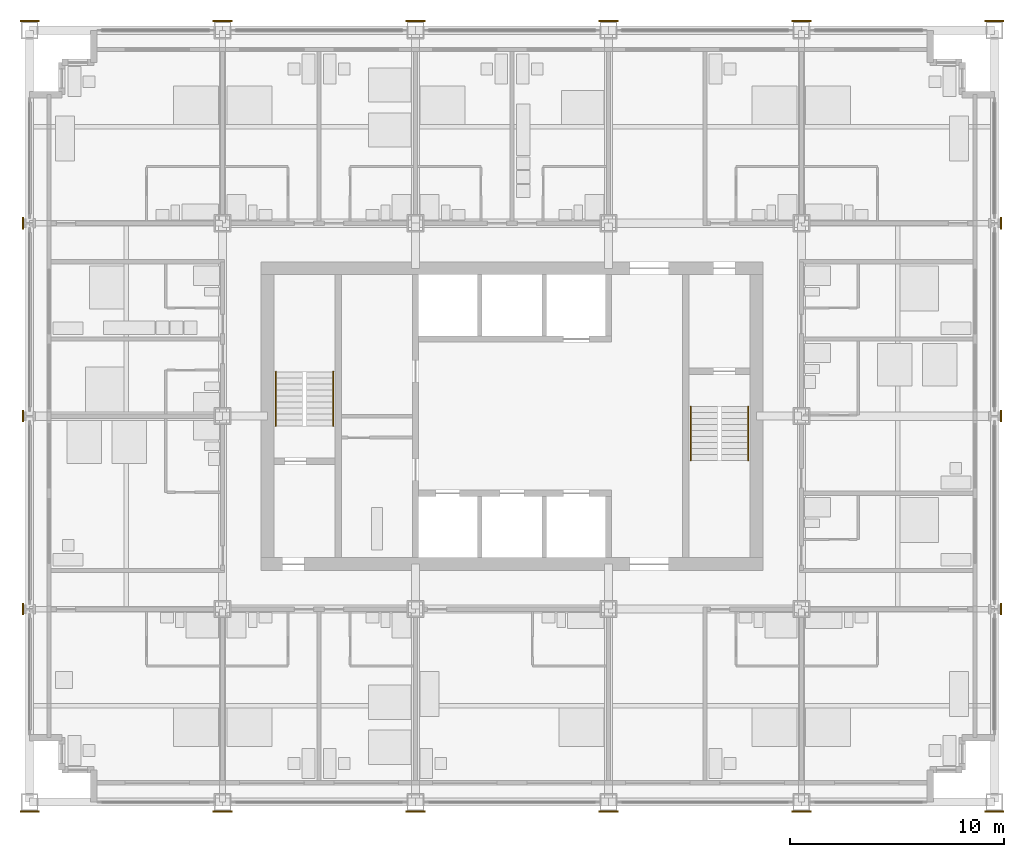
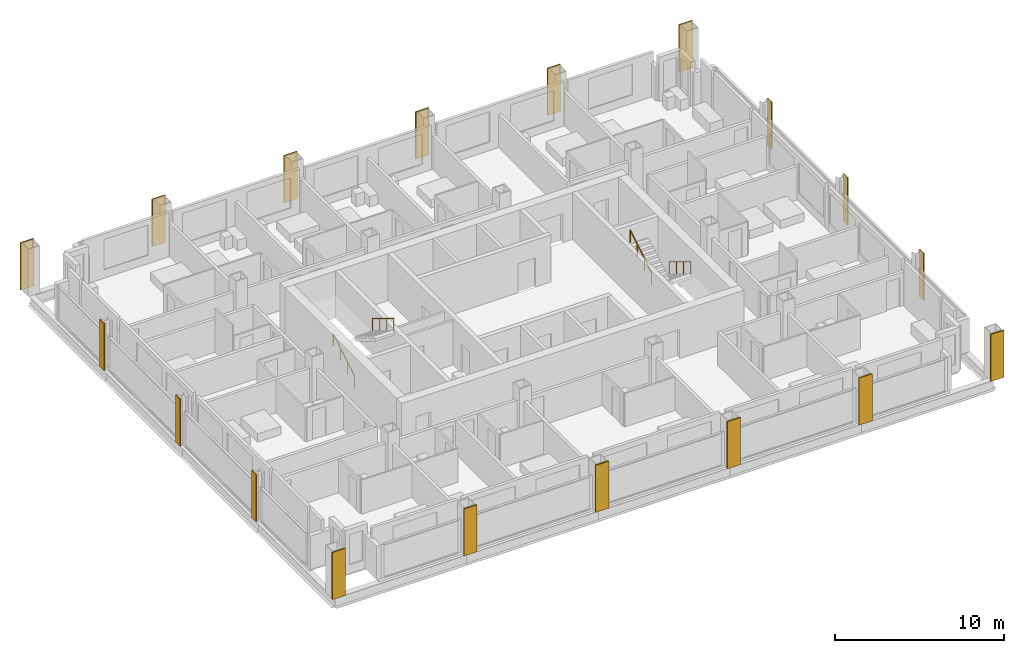
# One storey, part 15 of 17: 18 coverings, 4 railings.
"""IFC4 building model written with IfcOpenShell, lengths in metres."""

from ifc_helpers import new_model, si_unit, direction, frame, origin, origin_2d, place, context, subcontext, project, spatial, rectangle, circle, extrude, material, layer, layer_set, type_object, element, save


model = new_model("IFC4")

# Units and contexts
model_context = context("Model", 3, precision=1e-05, world=origin(), true_north=direction((0.0, 1.0)))
body_context = subcontext(model_context, "Body", "Model", "MODEL_VIEW")
ifc_project = project(units=[si_unit("LENGTHUNIT", "METRE"), si_unit("AREAUNIT", "SQUARE_METRE"), si_unit("VOLUMEUNIT", "CUBIC_METRE"), si_unit("PLANEANGLEUNIT", "RADIAN"), si_unit("MASSUNIT", "GRAM", prefix="KILO")], contexts=[model_context])

# Site, building, storey
site_placement = place(None, origin())
site = spatial("IfcSite", under=ifc_project, at=site_placement, CompositionType="ELEMENT")
building_placement = place(site_placement, origin())
building = spatial("IfcBuilding", under=site, at=building_placement, Name="Loomwork Tower", CompositionType="ELEMENT")
storey_placement = place(building_placement, frame((0.0, 0.0, 141.800048828125)))
storey = spatial("IfcBuildingStorey", under=building, at=storey_placement, Name="L38", CompositionType="ELEMENT", Elevation=141.800048828125)

# Railings
ifc_material_1 = material(Name="Stainless steel handrail", Category="steel")
railing_type = type_object("IfcRailingType", Name="Handrail 900", PredefinedType="HANDRAIL", material=ifc_material_1)
railing_1_placement = place(storey_placement, frame((11.485107421875, 17.550048828125, 0.169921875)))
element("IfcRailing", 1, at=railing_1_placement, inside=storey, type_object=railing_type, Name="Stair A handrail flight 1 L38", PredefinedType="HANDRAIL", context=body_context, shape_type="SweptSolid", body=[
    extrude(circle(Radius=0.02392578125, at=origin_2d()), frame((0.0, 0.0, 0.8759765625), z_axis=(0.0, 0.85478489116, 0.518982456201), x_axis=(-1.0, 0.0, 0.0)), (0.0, 0.0, 1.0), 2.9482421875),
    extrude(circle(Radius=0.02099609375, at=origin_2d()), origin(), (0.0, 0.0, 1.0), 0.851806640625),
    extrude(circle(Radius=0.02099609375, at=origin_2d()), frame((0.0, 0.840087890625, 0.510009765625)), (0.0, 0.0, 1.0), 0.851806640625),
    extrude(circle(Radius=0.02099609375, at=origin_2d()), frame((0.0, 1.679931640625, 1.02001953125)), (0.0, 0.0, 1.0), 0.851806640625),
    extrude(circle(Radius=0.02099609375, at=origin_2d()), frame((0.0, 2.52001953125, 1.530029296875)), (0.0, 0.0, 1.0), 0.851806640625),
])
for number, where, name in (
    (2, (14.1650390625, 20.070068359375, 1.869873046875), "Stair A handrail flight 2 L38"),
    (3, (33.514892578125, 18.449951171875, 0.169921875), "Stair B handrail flight 1 L38"),
):
    element("IfcRailing", number, at=place(storey_placement, frame(where)), inside=storey, type_object=railing_type, Name=name, PredefinedType="HANDRAIL", context=body_context, shape_type="SweptSolid", body=[
        extrude(circle(Radius=0.02392578125, at=origin_2d()), frame((0.0, 0.0, 0.8759765625), z_axis=(0.0, -0.85478489116, 0.518982456201), x_axis=(1.0, 0.0, 0.0)), (0.0, 0.0, 1.0), 2.9482421875),
        extrude(circle(Radius=0.02099609375, at=origin_2d()), origin(), (0.0, 0.0, 1.0), 0.851806640625),
        extrude(circle(Radius=0.02099609375, at=origin_2d()), frame((0.0, -0.840087890625, 0.510009765625)), (0.0, 0.0, 1.0), 0.851806640625),
        extrude(circle(Radius=0.02099609375, at=origin_2d()), frame((0.0, -1.679931640625, 1.02001953125)), (0.0, 0.0, 1.0), 0.851806640625),
        extrude(circle(Radius=0.02099609375, at=origin_2d()), frame((0.0, -2.52001953125, 1.530029296875)), (0.0, 0.0, 1.0), 0.851806640625),
    ])
railing_2_placement = place(storey_placement, frame((30.8349609375, 15.929931640625, 1.869873046875)))
element("IfcRailing", 4, at=railing_2_placement, inside=storey, type_object=railing_type, Name="Stair B handrail flight 2 L38", PredefinedType="HANDRAIL", context=body_context, shape_type="SweptSolid", body=[
    extrude(circle(Radius=0.02392578125, at=origin_2d()), frame((0.0, 0.0, 0.8759765625), z_axis=(0.0, 0.85478489116, 0.518982456201), x_axis=(-1.0, 0.0, 0.0)), (0.0, 0.0, 1.0), 2.9482421875),
    extrude(circle(Radius=0.02099609375, at=origin_2d()), origin(), (0.0, 0.0, 1.0), 0.851806640625),
    extrude(circle(Radius=0.02099609375, at=origin_2d()), frame((0.0, 0.840087890625, 0.510009765625)), (0.0, 0.0, 1.0), 0.851806640625),
    extrude(circle(Radius=0.02099609375, at=origin_2d()), frame((0.0, 1.679931640625, 1.02001953125)), (0.0, 0.0, 1.0), 0.851806640625),
    extrude(circle(Radius=0.02099609375, at=origin_2d()), frame((0.0, 2.52001953125, 1.530029296875)), (0.0, 0.0, 1.0), 0.851806640625),
])

# Coverings
ifc_material_2 = material(Name="Limestone", Category="masonry")
ifc_layer = layer(ifc_material_2, 0.080078125)
ifc_layer_set = layer_set([ifc_layer], Name="Limestone pier facing 80")
covering_type = type_object("IfcCoveringType", Name="Limestone pier facing 80", PredefinedType="CLADDING", material=ifc_layer_set)
covering_1_placement = place(storey_placement, frame((0.0, -0.43994140625, 0.0), z_axis=(0.0, 0.0, 1.0), x_axis=(1.0, 0.0, 0.0)))
element("IfcCovering", 5, at=covering_1_placement, inside=storey, type_object=covering_type, Name="Pier facing D/2 L38", PredefinedType="CLADDING", context=body_context, shape_type="SweptSolid", body=[
    extrude(rectangle(XDim=0.89990234375, YDim=0.080078125, at=origin_2d()), origin(), (0.0, 0.0, 1.0), 3.39990234375),
])
for number, where, z_axis, x_axis, name in (
    (6, (-0.305419921875, 9.0, 0.0), (0.0, 0.0, 1.0), (1.0, 0.0, 0.0), "Pier facing E/2 L38"),
    (7, (-0.305419921875, 18.0, 0.0), (0.0, 0.0, 1.0), (1.0, 0.0, 0.0), "Pier facing F/2 L38"),
    (8, (-0.305419921875, 27.0, 0.0), (0.0, 0.0, 1.0), (1.0, 0.0, 0.0), "Pier facing G/2 L38"),
):
    element("IfcCovering", number, at=place(storey_placement, frame(where, z_axis=z_axis, x_axis=x_axis)), inside=storey, type_object=covering_type, Name=name, PredefinedType="CLADDING", context=body_context, shape_type="SweptSolid", body=[
        extrude(rectangle(XDim=0.080078125, YDim=0.5419921875, at=origin_2d()), origin(), (0.0, 0.0, 1.0), 3.39990234375),
    ])
for number, where, z_axis, x_axis, name in (
    (9, (0.0, 36.43994140625, 0.0), (0.0, 0.0, 1.0), (1.0, 0.0, 0.0), "Pier facing H/2 L38"),
    (10, (9.0, -0.43994140625, 0.0), (0.0, 0.0, 1.0), (1.0, 0.0, 0.0), "Pier facing D/3 L38"),
    (11, (9.0, 36.43994140625, 0.0), (0.0, 0.0, 1.0), (1.0, 0.0, 0.0), "Pier facing H/3 L38"),
    (12, (18.0, -0.43994140625, 0.0), (0.0, 0.0, 1.0), (1.0, 0.0, 0.0), "Pier facing D/4 L38"),
    (13, (18.0, 36.43994140625, 0.0), (0.0, 0.0, 1.0), (1.0, 0.0, 0.0), "Pier facing H/4 L38"),
    (14, (27.0, -0.43994140625, 0.0), (0.0, 0.0, 1.0), (1.0, 0.0, 0.0), "Pier facing D/5 L38"),
    (15, (27.0, 36.43994140625, 0.0), (0.0, 0.0, 1.0), (1.0, 0.0, 0.0), "Pier facing H/5 L38"),
    (16, (36.0, -0.43994140625, 0.0), (0.0, 0.0, 1.0), (1.0, 0.0, 0.0), "Pier facing D/6 L38"),
    (17, (36.0, 36.43994140625, 0.0), (0.0, 0.0, 1.0), (1.0, 0.0, 0.0), "Pier facing H/6 L38"),
    (18, (45.0, -0.43994140625, 0.0), (0.0, 0.0, 1.0), (1.0, 0.0, 0.0), "Pier facing D/7 L38"),
):
    element("IfcCovering", number, at=place(storey_placement, frame(where, z_axis=z_axis, x_axis=x_axis)), inside=storey, type_object=covering_type, Name=name, PredefinedType="CLADDING", context=body_context, shape_type="SweptSolid", body=[
        extrude(rectangle(XDim=0.89990234375, YDim=0.080078125, at=origin_2d()), origin(), (0.0, 0.0, 1.0), 3.39990234375),
    ])
for number, where, z_axis, x_axis, name in (
    (19, (45.305419921875, 9.0, 0.0), (0.0, 0.0, 1.0), (1.0, 0.0, 0.0), "Pier facing E/7 L38"),
    (20, (45.305419921875, 18.0, 0.0), (0.0, 0.0, 1.0), (1.0, 0.0, 0.0), "Pier facing F/7 L38"),
    (21, (45.305419921875, 27.0, 0.0), (0.0, 0.0, 1.0), (1.0, 0.0, 0.0), "Pier facing G/7 L38"),
):
    element("IfcCovering", number, at=place(storey_placement, frame(where, z_axis=z_axis, x_axis=x_axis)), inside=storey, type_object=covering_type, Name=name, PredefinedType="CLADDING", context=body_context, shape_type="SweptSolid", body=[
        extrude(rectangle(XDim=0.080078125, YDim=0.5419921875, at=origin_2d()), origin(), (0.0, 0.0, 1.0), 3.39990234375),
    ])
covering_2_placement = place(storey_placement, frame((45.0, 36.43994140625, 0.0), z_axis=(0.0, 0.0, 1.0), x_axis=(1.0, 0.0, 0.0)))
element("IfcCovering", 22, at=covering_2_placement, inside=storey, type_object=covering_type, Name="Pier facing H/7 L38", PredefinedType="CLADDING", context=body_context, shape_type="SweptSolid", body=[
    extrude(rectangle(XDim=0.89990234375, YDim=0.080078125, at=origin_2d()), origin(), (0.0, 0.0, 1.0), 3.39990234375),
])

save(model, "model.ifc")
